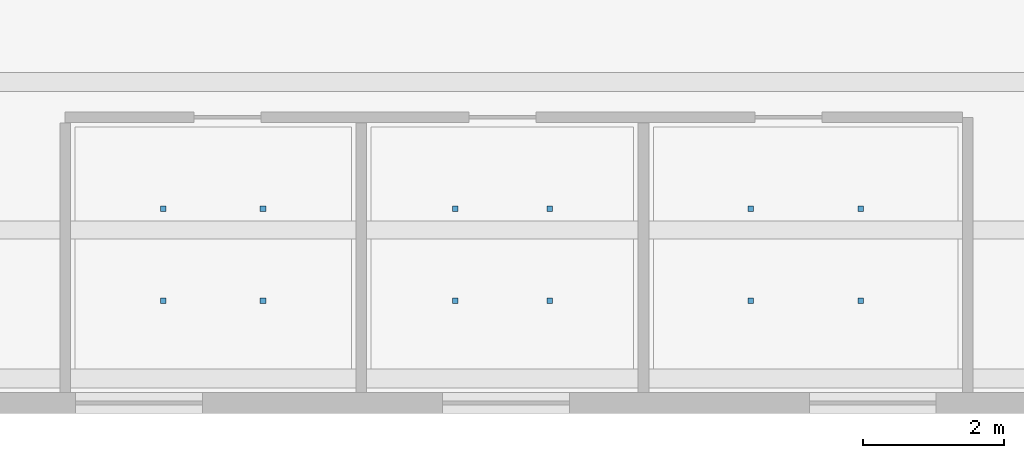
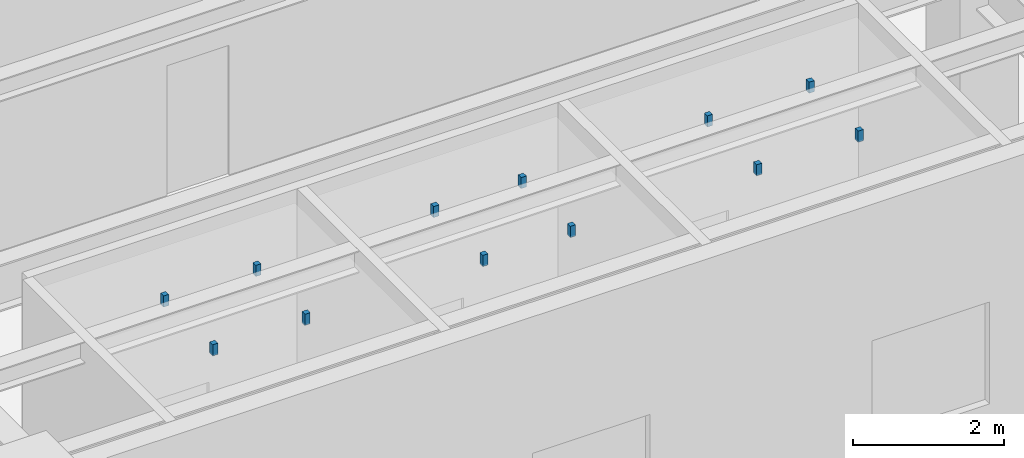
# One storey, part 21 of 24: 12 discrete accessories.
"""IFC4 building model written with IfcOpenShell, lengths in metres."""

from ifc_helpers import new_model, si_unit, direction, frame, origin, origin_2d, place, context, subcontext, project, spatial, rectangle, extrude, material, type_object, element, save


model = new_model("IFC4")

# Units and contexts
model_context = context("Model", 3, precision=1e-05, world=origin(), true_north=direction((0.0, 1.0)))
body_context = subcontext(model_context, "Body", "Model", "MODEL_VIEW")
ifc_project = project(units=[si_unit("LENGTHUNIT", "METRE"), si_unit("AREAUNIT", "SQUARE_METRE"), si_unit("VOLUMEUNIT", "CUBIC_METRE"), si_unit("PLANEANGLEUNIT", "RADIAN"), si_unit("MASSUNIT", "GRAM", prefix="KILO")], contexts=[model_context])

# Site, building, storey
site_placement = place(None, origin())
site = spatial("IfcSite", under=ifc_project, at=site_placement, CompositionType="ELEMENT")
building_placement = place(site_placement, origin())
building = spatial("IfcBuilding", under=site, at=building_placement, Name="Kolvaren Gate Tower and Convention Centre", CompositionType="ELEMENT")
storey_placement = place(building_placement, frame((0.0, 0.0, 10.0)))
storey = spatial("IfcBuildingStorey", under=building, at=storey_placement, Name="L02", CompositionType="ELEMENT", Elevation=10.0)

# Discrete accessories
ifc_material = material(Name="Brushed Stainless Steel Grade 316L", Category="steel")
discrete_accessory_type = type_object("IfcDiscreteAccessoryType", Name="ARCH-ACC-HANGER-80", PredefinedType="BRACKET", material=ifc_material)
for number, where, z_axis, x_axis, name in (
    (1, (74.993896484375, 3.798095703125, 4.580078125), (0.0, 0.0, 1.0), (1.0, 0.0, 0.0), "Convention L02 Delegate Male Restroom Ceiling Suspension Hanger Clip 1"),
    (2, (76.406005859375, 3.798095703125, 4.580078125), (0.0, 0.0, 1.0), (1.0, 0.0, 0.0), "Convention L02 Delegate Male Restroom Ceiling Suspension Hanger Clip 2"),
    (3, (74.993896484375, 5.10205078125, 4.580078125), (0.0, 0.0, 1.0), (1.0, 0.0, 0.0), "Convention L02 Delegate Male Restroom Ceiling Suspension Hanger Clip 3"),
    (4, (76.406005859375, 5.10205078125, 4.580078125), (0.0, 0.0, 1.0), (1.0, 0.0, 0.0), "Convention L02 Delegate Male Restroom Ceiling Suspension Hanger Clip 4"),
    (5, (79.1298828125, 3.798095703125, 4.580078125), (0.0, 0.0, 1.0), (1.0, 0.0, 0.0), "Convention L02 Accessible Restroom Ceiling Suspension Hanger Clip 1"),
    (6, (80.469970703125, 3.798095703125, 4.580078125), (0.0, 0.0, 1.0), (1.0, 0.0, 0.0), "Convention L02 Accessible Restroom Ceiling Suspension Hanger Clip 2"),
    (7, (79.1298828125, 5.10205078125, 4.580078125), (0.0, 0.0, 1.0), (1.0, 0.0, 0.0), "Convention L02 Accessible Restroom Ceiling Suspension Hanger Clip 3"),
    (8, (80.469970703125, 5.10205078125, 4.580078125), (0.0, 0.0, 1.0), (1.0, 0.0, 0.0), "Convention L02 Accessible Restroom Ceiling Suspension Hanger Clip 4"),
    (9, (83.322021484375, 3.798095703125, 4.580078125), (0.0, 0.0, 1.0), (1.0, 0.0, 0.0), "Convention L02 Delegate Female Restroom Ceiling Suspension Hanger Clip 1"),
    (10, (84.8779296875, 3.798095703125, 4.580078125), (0.0, 0.0, 1.0), (1.0, 0.0, 0.0), "Convention L02 Delegate Female Restroom Ceiling Suspension Hanger Clip 2"),
    (11, (83.322021484375, 5.10205078125, 4.580078125), (0.0, 0.0, 1.0), (1.0, 0.0, 0.0), "Convention L02 Delegate Female Restroom Ceiling Suspension Hanger Clip 3"),
    (12, (84.8779296875, 5.10205078125, 4.580078125), (0.0, 0.0, 1.0), (1.0, 0.0, 0.0), "Convention L02 Delegate Female Restroom Ceiling Suspension Hanger Clip 4"),
):
    element("IfcDiscreteAccessory", number, at=place(storey_placement, frame(where, z_axis=z_axis, x_axis=x_axis)), inside=storey, type_object=discrete_accessory_type, Name=name, PredefinedType="BRACKET", context=body_context, shape_type="SweptSolid", body=[
        extrude(rectangle(XDim=0.080078125, YDim=0.080078125, at=origin_2d()), origin(), (0.0, 0.0, 1.0), 0.179931640625),
    ])

save(model, "model.ifc")
